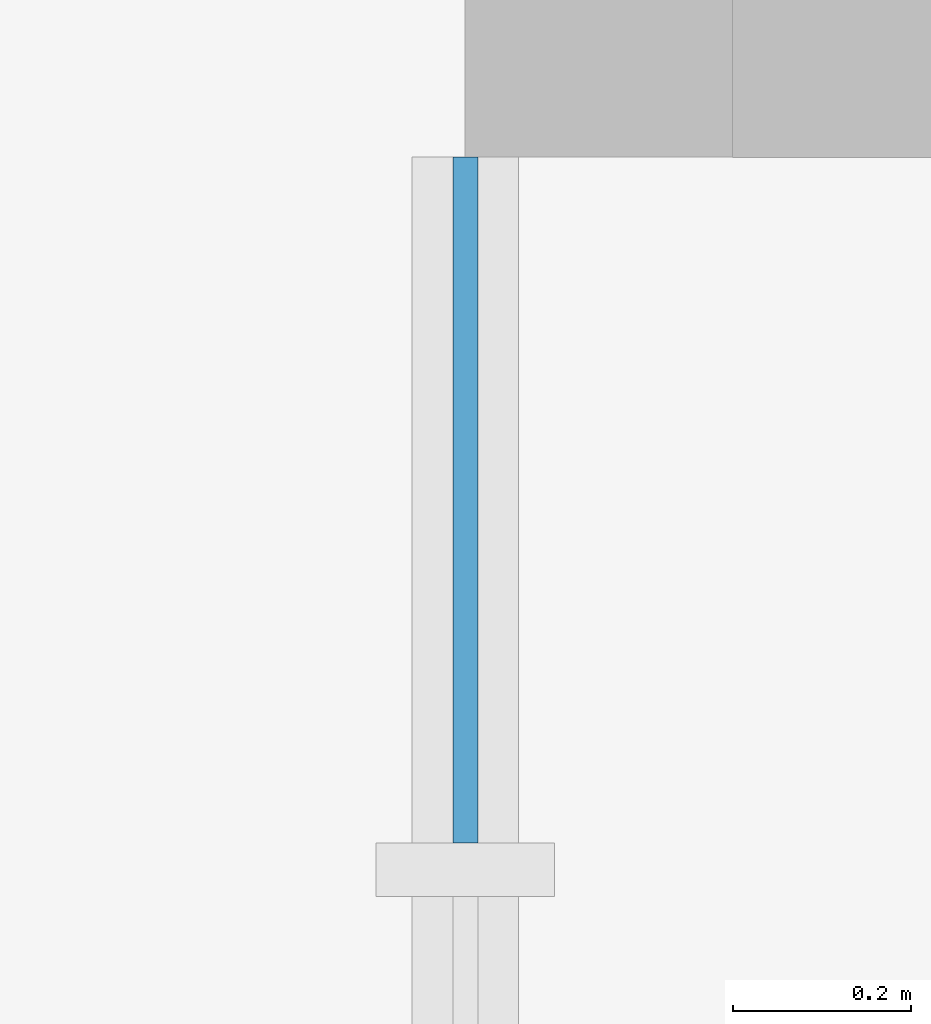
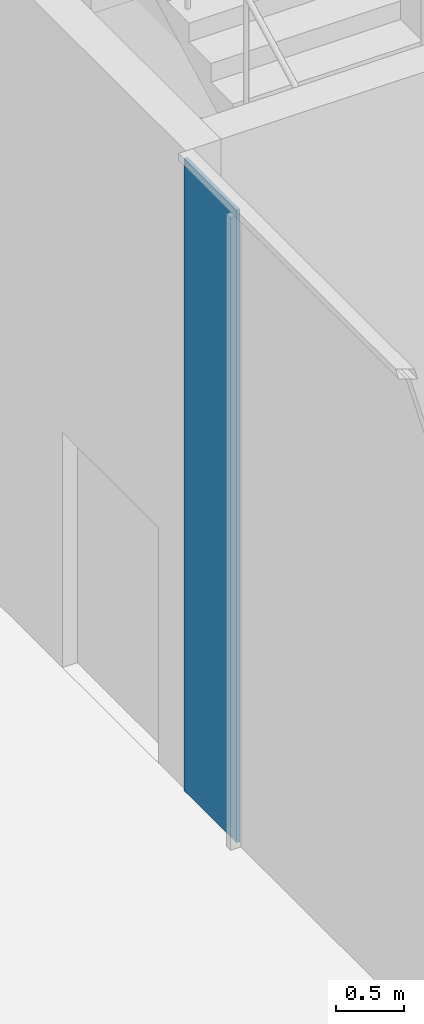
# One storey, part 20 of 44: 1 plate, 1 element without a shape of its own.
"""IFC4 building model written with IfcOpenShell, lengths in metres."""

from ifc_helpers import new_model, si_unit, direction, frame, origin, origin_2d, place, context, subcontext, project, spatial, rectangle, extrude, material, layer, layer_set, type_object, element, aggregate, save


model = new_model("IFC4")

# Units and contexts
model_context = context("Model", 3, precision=1e-05, world=origin(), true_north=direction((0.0, 1.0)))
body_context = subcontext(model_context, "Body", "Model", "MODEL_VIEW")
ifc_project = project(units=[si_unit("LENGTHUNIT", "METRE"), si_unit("AREAUNIT", "SQUARE_METRE"), si_unit("VOLUMEUNIT", "CUBIC_METRE"), si_unit("PLANEANGLEUNIT", "RADIAN"), si_unit("MASSUNIT", "GRAM", prefix="KILO")], contexts=[model_context])

# Site, building, storey
site_placement = place(None, origin())
site = spatial("IfcSite", under=ifc_project, at=site_placement, CompositionType="ELEMENT")
building_placement = place(site_placement, origin())
building = spatial("IfcBuilding", under=site, at=building_placement, Name="Madar Terraces", CompositionType="ELEMENT")
storey_placement = place(building_placement, origin())
storey = spatial("IfcBuildingStorey", under=building, at=storey_placement, Name="L00", CompositionType="ELEMENT", Elevation=0.0)

# Curtain wall, plate
ifc_material_1 = material(Name="Glass, clear low-iron, with black aluminium frame", Category="aluminium")
ifc_layer_1 = layer(ifc_material_1, 0.199951171875)
ifc_layer_set_1 = layer_set([ifc_layer_1], Name="Facade curtain wall, shopfront glazing")
curtain_wall_type = type_object("IfcCurtainWallType", Name="Facade curtain wall, shopfront glazing", PredefinedType="NOTDEFINED", material=ifc_layer_set_1)
curtain_wall_placement = place(storey_placement, origin())
curtain_wall = element("IfcCurtainWall", 1, at=curtain_wall_placement, inside=storey, type_object=curtain_wall_type, Name="Outer skin curtain wall west bay 1", PredefinedType="NOTDEFINED")
ifc_material_2 = material(Name="Glass, ceramic frit dark grey", Category="glass")
ifc_layer_2 = layer(ifc_material_2, 0.028076171875)
ifc_layer_set_2 = layer_set([ifc_layer_2], Name="Facade glass panel 28")
plate_type = type_object("IfcPlateType", Name="Facade glass panel 28", PredefinedType="CURTAIN_PANEL", material=ifc_layer_set_2)
plate_placement = place(storey_placement, frame((-7.199951171875, 0.4150390625, 0.0), z_axis=(0.0, 0.0, 1.0), x_axis=(0.0, -1.0, 0.0)))
plate = element("IfcPlate", 2, at=plate_placement, type_object=plate_type, Name="Panel 13", PredefinedType="CURTAIN_PANEL", context=body_context, shape_type="SweptSolid", body=[
    extrude(rectangle(XDim=0.77001953125, YDim=0.028076171875, at=origin_2d()), origin(), (0.0, 0.0, 1.0), 5.639892578125),
])
aggregate(curtain_wall, [plate])

save(model, "model.ifc")
